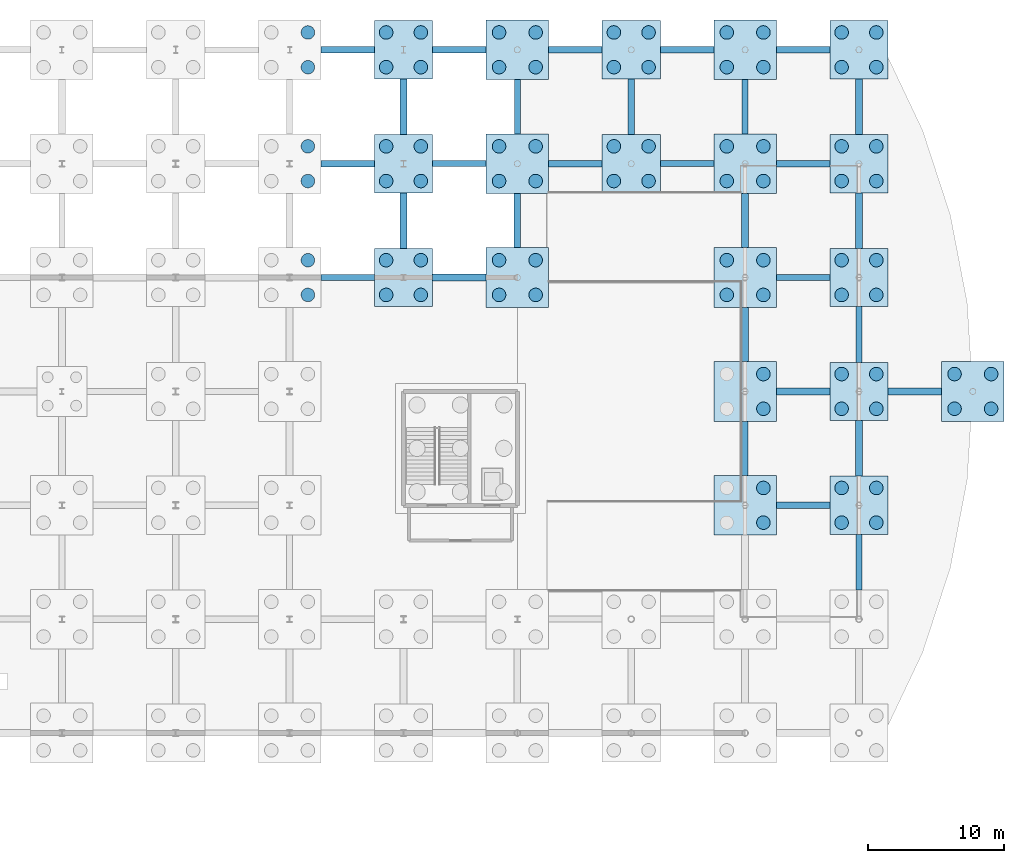
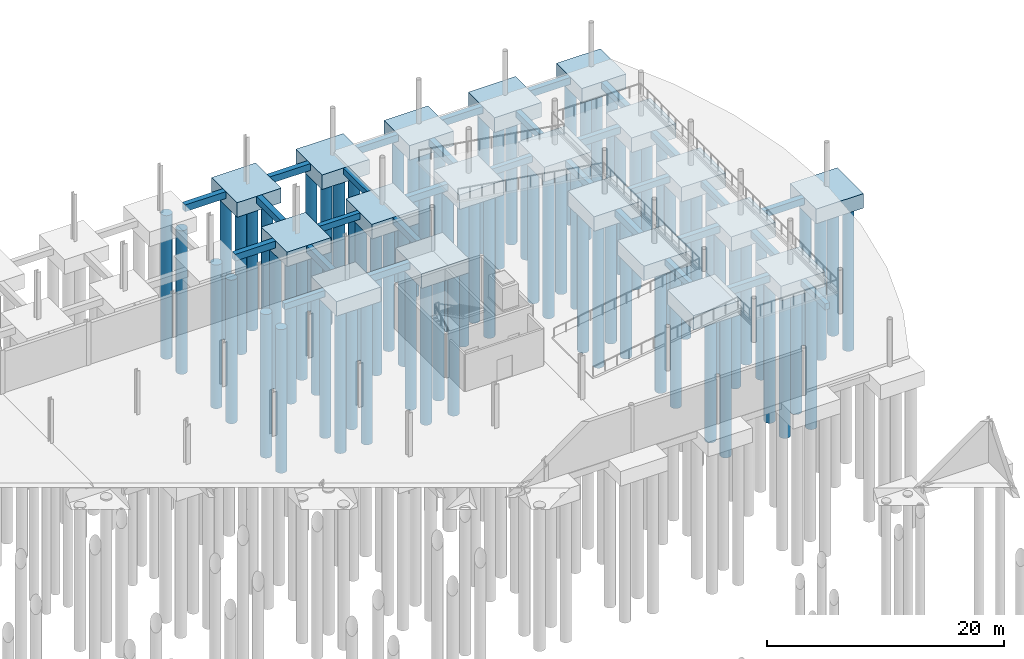
# One storey, part 11 of 51: 78 piles, 49 footings.
"""IFC4 building model written with IfcOpenShell, lengths in metres."""

from ifc_helpers import new_model, si_unit, direction, frame, origin, origin_2d, place, context, subcontext, project, spatial, rectangle, circle, extrude, material, material_profile, profile_set, type_object, element, save


model = new_model("IFC4")

# Units and contexts
model_context = context("Model", 3, precision=1e-05, world=origin(), true_north=direction((0.0, 1.0)))
body_context = subcontext(model_context, "Body", "Model", "MODEL_VIEW")
ifc_project = project(units=[si_unit("LENGTHUNIT", "METRE"), si_unit("AREAUNIT", "SQUARE_METRE"), si_unit("VOLUMEUNIT", "CUBIC_METRE"), si_unit("PLANEANGLEUNIT", "RADIAN"), si_unit("MASSUNIT", "GRAM", prefix="KILO")], contexts=[model_context])

# Site, building, storey
site_placement = place(None, origin())
site = spatial("IfcSite", under=ifc_project, at=site_placement, CompositionType="ELEMENT")
building_placement = place(site_placement, origin())
building = spatial("IfcBuilding", under=site, at=building_placement, Name="Qalvenar Corner Mobility Hub", CompositionType="ELEMENT")
storey_placement = place(building_placement, frame((0.0, 0.0, -4.5)))
storey = spatial("IfcBuildingStorey", under=building, at=storey_placement, Name="B1", CompositionType="ELEMENT", Elevation=-4.5)

# Footings
ifc_material = material(Name="Concrete C40/50", Category="concrete")
footing_type_1 = type_object("IfcFootingType", Name="PC-38X38X15", PredefinedType="PILE_CAP", material=ifc_material)
for number, where, z_axis, x_axis, name in (
    (1, (134.39990234375, 100.800048828125, -1.85009765625), (0.0, 0.0, 1.0), (1.0, 0.0, 0.0), "Pile Cap G17-12"),
    (2, (134.39990234375, 109.199951171875, -1.85009765625), (0.0, 0.0, 1.0), (1.0, 0.0, 0.0), "Pile Cap G17-13"),
    (3, (134.39990234375, 117.60009765625, -1.85009765625), (0.0, 0.0, 1.0), (1.0, 0.0, 0.0), "Pile Cap G17-14"),
    (4, (151.199951171875, 109.199951171875, -1.85009765625), (0.0, 0.0, 1.0), (1.0, 0.0, 0.0), "Pile Cap G19-13"),
    (5, (151.199951171875, 117.60009765625, -1.85009765625), (0.0, 0.0, 1.0), (1.0, 0.0, 0.0), "Pile Cap G19-14"),
    (6, (168.0, 84.0, -1.85009765625), (0.0, 0.0, 1.0), (1.0, 0.0, 0.0), "Pile Cap G21-10"),
    (7, (168.0, 92.39990234375, -1.85009765625), (0.0, 0.0, 1.0), (1.0, 0.0, 0.0), "Pile Cap G21-11"),
    (8, (168.0, 100.800048828125, -1.85009765625), (0.0, 0.0, 1.0), (1.0, 0.0, 0.0), "Pile Cap G21-12"),
    (9, (168.0, 109.199951171875, -1.85009765625), (0.0, 0.0, 1.0), (1.0, 0.0, 0.0), "Pile Cap G21-13"),
    (10, (168.0, 117.60009765625, -1.85009765625), (0.0, 0.0, 1.0), (1.0, 0.0, 0.0), "Pile Cap G21-14"),
):
    element("IfcFooting", number, at=place(storey_placement, frame(where, z_axis=z_axis, x_axis=x_axis)), inside=storey, type_object=footing_type_1, Name=name, PredefinedType="PILE_CAP", context=body_context, shape_type="SweptSolid", body=[
        extrude(rectangle(XDim=4.300048828125, YDim=4.300048828125, at=origin_2d()), origin(), (0.0, 0.0, 1.0), 1.5),
    ])
footing_type_2 = type_object("IfcFootingType", Name="PC-42X32X15", PredefinedType="PILE_CAP", material=ifc_material)
for number, where, z_axis, x_axis, name in (
    (11, (142.800048828125, 100.800048828125, -1.85009765625), (0.0, 0.0, 1.0), (1.0, 0.0, 0.0), "Pile Cap G18-12"),
    (12, (142.800048828125, 109.199951171875, -1.85009765625), (0.0, 0.0, 1.0), (1.0, 0.0, 0.0), "Pile Cap G18-13"),
    (13, (142.800048828125, 117.60009765625, -1.85009765625), (0.0, 0.0, 1.0), (1.0, 0.0, 0.0), "Pile Cap G18-14"),
    (14, (159.60009765625, 84.0, -1.85009765625), (0.0, 0.0, 1.0), (1.0, 0.0, 0.0), "Pile Cap G20-10"),
    (15, (159.60009765625, 92.39990234375, -1.85009765625), (0.0, 0.0, 1.0), (1.0, 0.0, 0.0), "Pile Cap G20-11"),
    (16, (159.60009765625, 100.800048828125, -1.85009765625), (0.0, 0.0, 1.0), (1.0, 0.0, 0.0), "Pile Cap G20-12"),
    (17, (159.60009765625, 109.199951171875, -1.85009765625), (0.0, 0.0, 1.0), (1.0, 0.0, 0.0), "Pile Cap G20-13"),
    (18, (159.60009765625, 117.60009765625, -1.85009765625), (0.0, 0.0, 1.0), (1.0, 0.0, 0.0), "Pile Cap G20-14"),
    (19, (176.39990234375, 92.39990234375, -1.85009765625), (0.0, 0.0, 1.0), (1.0, 0.0, 0.0), "Pile Cap G22-11"),
):
    element("IfcFooting", number, at=place(storey_placement, frame(where, z_axis=z_axis, x_axis=x_axis)), inside=storey, type_object=footing_type_2, Name=name, PredefinedType="PILE_CAP", context=body_context, shape_type="SweptSolid", body=[
        extrude(rectangle(XDim=4.60009765625, YDim=4.39990234375, at=origin_2d()), origin(), (0.0, 0.0, 1.0), 1.5),
    ])

# Piles
ifc_material_profile_1 = material_profile(ifc_material, circle(Radius=0.5, at=origin_2d()), Name="DIA1000")
ifc_profile_set_1 = profile_set([ifc_material_profile_1], Name="Concrete C40/50")
pile_type = type_object("IfcPileType", Name="PILE-1000", PredefinedType="BORED", material=ifc_profile_set_1)
for number, where, z_axis, x_axis, name in (
    (20, (127.35009765625, 99.52001953125, -1.699951171875), (0.0, 0.0, -1.0), (1.0, 0.0, 0.0), "Bored Pile G16-12-3"),
    (21, (127.35009765625, 102.080078125, -1.699951171875), (0.0, 0.0, -1.0), (1.0, 0.0, 0.0), "Bored Pile G16-12-4"),
    (22, (127.35009765625, 107.919921875, -1.699951171875), (0.0, 0.0, -1.0), (1.0, 0.0, 0.0), "Bored Pile G16-13-3"),
    (23, (127.35009765625, 110.47998046875, -1.699951171875), (0.0, 0.0, -1.0), (1.0, 0.0, 0.0), "Bored Pile G16-13-4"),
    (24, (127.35009765625, 116.320068359375, -1.699951171875), (0.0, 0.0, -1.0), (1.0, 0.0, 0.0), "Bored Pile G16-14-3"),
    (25, (127.35009765625, 118.8798828125, -1.699951171875), (0.0, 0.0, -1.0), (1.0, 0.0, 0.0), "Bored Pile G16-14-4"),
    (26, (133.1201171875, 99.52001953125, -1.699951171875), (0.0, 0.0, -1.0), (1.0, 0.0, 0.0), "Bored Pile G17-12-1"),
    (27, (133.1201171875, 102.080078125, -1.699951171875), (0.0, 0.0, -1.0), (1.0, 0.0, 0.0), "Bored Pile G17-12-2"),
    (28, (135.679931640625, 99.52001953125, -1.699951171875), (0.0, 0.0, -1.0), (1.0, 0.0, 0.0), "Bored Pile G17-12-3"),
    (29, (135.679931640625, 102.080078125, -1.699951171875), (0.0, 0.0, -1.0), (1.0, 0.0, 0.0), "Bored Pile G17-12-4"),
    (30, (133.1201171875, 107.919921875, -1.699951171875), (0.0, 0.0, -1.0), (1.0, 0.0, 0.0), "Bored Pile G17-13-1"),
    (31, (133.1201171875, 110.47998046875, -1.699951171875), (0.0, 0.0, -1.0), (1.0, 0.0, 0.0), "Bored Pile G17-13-2"),
    (32, (135.679931640625, 107.919921875, -1.699951171875), (0.0, 0.0, -1.0), (1.0, 0.0, 0.0), "Bored Pile G17-13-3"),
    (33, (135.679931640625, 110.47998046875, -1.699951171875), (0.0, 0.0, -1.0), (1.0, 0.0, 0.0), "Bored Pile G17-13-4"),
    (34, (133.1201171875, 116.320068359375, -1.699951171875), (0.0, 0.0, -1.0), (1.0, 0.0, 0.0), "Bored Pile G17-14-1"),
    (35, (133.1201171875, 118.8798828125, -1.699951171875), (0.0, 0.0, -1.0), (1.0, 0.0, 0.0), "Bored Pile G17-14-2"),
    (36, (135.679931640625, 116.320068359375, -1.699951171875), (0.0, 0.0, -1.0), (1.0, 0.0, 0.0), "Bored Pile G17-14-3"),
    (37, (135.679931640625, 118.8798828125, -1.699951171875), (0.0, 0.0, -1.0), (1.0, 0.0, 0.0), "Bored Pile G17-14-4"),
    (38, (141.449951171875, 99.52001953125, -1.699951171875), (0.0, 0.0, -1.0), (1.0, 0.0, 0.0), "Bored Pile G18-12-1"),
    (39, (141.449951171875, 102.080078125, -1.699951171875), (0.0, 0.0, -1.0), (1.0, 0.0, 0.0), "Bored Pile G18-12-2"),
    (40, (144.14990234375, 99.52001953125, -1.699951171875), (0.0, 0.0, -1.0), (1.0, 0.0, 0.0), "Bored Pile G18-12-3"),
    (41, (144.14990234375, 102.080078125, -1.699951171875), (0.0, 0.0, -1.0), (1.0, 0.0, 0.0), "Bored Pile G18-12-4"),
    (42, (141.449951171875, 107.919921875, -1.699951171875), (0.0, 0.0, -1.0), (1.0, 0.0, 0.0), "Bored Pile G18-13-1"),
    (43, (141.449951171875, 110.47998046875, -1.699951171875), (0.0, 0.0, -1.0), (1.0, 0.0, 0.0), "Bored Pile G18-13-2"),
    (44, (144.14990234375, 107.919921875, -1.699951171875), (0.0, 0.0, -1.0), (1.0, 0.0, 0.0), "Bored Pile G18-13-3"),
    (45, (144.14990234375, 110.47998046875, -1.699951171875), (0.0, 0.0, -1.0), (1.0, 0.0, 0.0), "Bored Pile G18-13-4"),
    (46, (141.449951171875, 116.320068359375, -1.699951171875), (0.0, 0.0, -1.0), (1.0, 0.0, 0.0), "Bored Pile G18-14-1"),
    (47, (141.449951171875, 118.8798828125, -1.699951171875), (0.0, 0.0, -1.0), (1.0, 0.0, 0.0), "Bored Pile G18-14-2"),
    (48, (144.14990234375, 116.320068359375, -1.699951171875), (0.0, 0.0, -1.0), (1.0, 0.0, 0.0), "Bored Pile G18-14-3"),
    (49, (144.14990234375, 118.8798828125, -1.699951171875), (0.0, 0.0, -1.0), (1.0, 0.0, 0.0), "Bored Pile G18-14-4"),
    (50, (149.919921875, 107.919921875, -1.699951171875), (0.0, 0.0, -1.0), (1.0, 0.0, 0.0), "Bored Pile G19-13-1"),
    (51, (149.919921875, 110.47998046875, -1.699951171875), (0.0, 0.0, -1.0), (1.0, 0.0, 0.0), "Bored Pile G19-13-2"),
    (52, (152.47998046875, 107.919921875, -1.699951171875), (0.0, 0.0, -1.0), (1.0, 0.0, 0.0), "Bored Pile G19-13-3"),
    (53, (152.47998046875, 110.47998046875, -1.699951171875), (0.0, 0.0, -1.0), (1.0, 0.0, 0.0), "Bored Pile G19-13-4"),
    (54, (149.919921875, 116.320068359375, -1.699951171875), (0.0, 0.0, -1.0), (1.0, 0.0, 0.0), "Bored Pile G19-14-1"),
    (55, (149.919921875, 118.8798828125, -1.699951171875), (0.0, 0.0, -1.0), (1.0, 0.0, 0.0), "Bored Pile G19-14-2"),
    (56, (152.47998046875, 116.320068359375, -1.699951171875), (0.0, 0.0, -1.0), (1.0, 0.0, 0.0), "Bored Pile G19-14-3"),
    (57, (152.47998046875, 118.8798828125, -1.699951171875), (0.0, 0.0, -1.0), (1.0, 0.0, 0.0), "Bored Pile G19-14-4"),
    (58, (160.949951171875, 82.719970703125, -1.699951171875), (0.0, 0.0, -1.0), (1.0, 0.0, 0.0), "Bored Pile G20-10-3"),
    (59, (160.949951171875, 85.280029296875, -1.699951171875), (0.0, 0.0, -1.0), (1.0, 0.0, 0.0), "Bored Pile G20-10-4"),
    (60, (160.949951171875, 91.1201171875, -1.699951171875), (0.0, 0.0, -1.0), (1.0, 0.0, 0.0), "Bored Pile G20-11-3"),
    (61, (160.949951171875, 93.679931640625, -1.699951171875), (0.0, 0.0, -1.0), (1.0, 0.0, 0.0), "Bored Pile G20-11-4"),
    (62, (158.25, 99.52001953125, -1.699951171875), (0.0, 0.0, -1.0), (1.0, 0.0, 0.0), "Bored Pile G20-12-1"),
    (63, (158.25, 102.080078125, -1.699951171875), (0.0, 0.0, -1.0), (1.0, 0.0, 0.0), "Bored Pile G20-12-2"),
    (64, (160.949951171875, 99.52001953125, -1.699951171875), (0.0, 0.0, -1.0), (1.0, 0.0, 0.0), "Bored Pile G20-12-3"),
    (65, (160.949951171875, 102.080078125, -1.699951171875), (0.0, 0.0, -1.0), (1.0, 0.0, 0.0), "Bored Pile G20-12-4"),
    (66, (158.25, 107.919921875, -1.699951171875), (0.0, 0.0, -1.0), (1.0, 0.0, 0.0), "Bored Pile G20-13-1"),
    (67, (158.25, 110.47998046875, -1.699951171875), (0.0, 0.0, -1.0), (1.0, 0.0, 0.0), "Bored Pile G20-13-2"),
    (68, (160.949951171875, 107.919921875, -1.699951171875), (0.0, 0.0, -1.0), (1.0, 0.0, 0.0), "Bored Pile G20-13-3"),
    (69, (160.949951171875, 110.47998046875, -1.699951171875), (0.0, 0.0, -1.0), (1.0, 0.0, 0.0), "Bored Pile G20-13-4"),
    (70, (158.25, 116.320068359375, -1.699951171875), (0.0, 0.0, -1.0), (1.0, 0.0, 0.0), "Bored Pile G20-14-1"),
    (71, (158.25, 118.8798828125, -1.699951171875), (0.0, 0.0, -1.0), (1.0, 0.0, 0.0), "Bored Pile G20-14-2"),
    (72, (160.949951171875, 116.320068359375, -1.699951171875), (0.0, 0.0, -1.0), (1.0, 0.0, 0.0), "Bored Pile G20-14-3"),
    (73, (160.949951171875, 118.8798828125, -1.699951171875), (0.0, 0.0, -1.0), (1.0, 0.0, 0.0), "Bored Pile G20-14-4"),
    (74, (166.719970703125, 82.719970703125, -1.699951171875), (0.0, 0.0, -1.0), (1.0, 0.0, 0.0), "Bored Pile G21-10-1"),
    (75, (166.719970703125, 85.280029296875, -1.699951171875), (0.0, 0.0, -1.0), (1.0, 0.0, 0.0), "Bored Pile G21-10-2"),
    (76, (169.280029296875, 82.719970703125, -1.699951171875), (0.0, 0.0, -1.0), (1.0, 0.0, 0.0), "Bored Pile G21-10-3"),
    (77, (169.280029296875, 85.280029296875, -1.699951171875), (0.0, 0.0, -1.0), (1.0, 0.0, 0.0), "Bored Pile G21-10-4"),
    (78, (166.719970703125, 91.1201171875, -1.699951171875), (0.0, 0.0, -1.0), (1.0, 0.0, 0.0), "Bored Pile G21-11-1"),
    (79, (166.719970703125, 93.679931640625, -1.699951171875), (0.0, 0.0, -1.0), (1.0, 0.0, 0.0), "Bored Pile G21-11-2"),
    (80, (169.280029296875, 91.1201171875, -1.699951171875), (0.0, 0.0, -1.0), (1.0, 0.0, 0.0), "Bored Pile G21-11-3"),
    (81, (169.280029296875, 93.679931640625, -1.699951171875), (0.0, 0.0, -1.0), (1.0, 0.0, 0.0), "Bored Pile G21-11-4"),
    (82, (166.719970703125, 99.52001953125, -1.699951171875), (0.0, 0.0, -1.0), (1.0, 0.0, 0.0), "Bored Pile G21-12-1"),
    (83, (166.719970703125, 102.080078125, -1.699951171875), (0.0, 0.0, -1.0), (1.0, 0.0, 0.0), "Bored Pile G21-12-2"),
    (84, (169.280029296875, 99.52001953125, -1.699951171875), (0.0, 0.0, -1.0), (1.0, 0.0, 0.0), "Bored Pile G21-12-3"),
    (85, (169.280029296875, 102.080078125, -1.699951171875), (0.0, 0.0, -1.0), (1.0, 0.0, 0.0), "Bored Pile G21-12-4"),
    (86, (166.719970703125, 107.919921875, -1.699951171875), (0.0, 0.0, -1.0), (1.0, 0.0, 0.0), "Bored Pile G21-13-1"),
    (87, (166.719970703125, 110.47998046875, -1.699951171875), (0.0, 0.0, -1.0), (1.0, 0.0, 0.0), "Bored Pile G21-13-2"),
    (88, (169.280029296875, 107.919921875, -1.699951171875), (0.0, 0.0, -1.0), (1.0, 0.0, 0.0), "Bored Pile G21-13-3"),
    (89, (169.280029296875, 110.47998046875, -1.699951171875), (0.0, 0.0, -1.0), (1.0, 0.0, 0.0), "Bored Pile G21-13-4"),
    (90, (166.719970703125, 116.320068359375, -1.699951171875), (0.0, 0.0, -1.0), (1.0, 0.0, 0.0), "Bored Pile G21-14-1"),
    (91, (166.719970703125, 118.8798828125, -1.699951171875), (0.0, 0.0, -1.0), (1.0, 0.0, 0.0), "Bored Pile G21-14-2"),
    (92, (169.280029296875, 116.320068359375, -1.699951171875), (0.0, 0.0, -1.0), (1.0, 0.0, 0.0), "Bored Pile G21-14-3"),
    (93, (169.280029296875, 118.8798828125, -1.699951171875), (0.0, 0.0, -1.0), (1.0, 0.0, 0.0), "Bored Pile G21-14-4"),
    (94, (175.050048828125, 91.1201171875, -1.699951171875), (0.0, 0.0, -1.0), (1.0, 0.0, 0.0), "Bored Pile G22-11-1"),
    (95, (175.050048828125, 93.679931640625, -1.699951171875), (0.0, 0.0, -1.0), (1.0, 0.0, 0.0), "Bored Pile G22-11-2"),
    (96, (177.75, 91.1201171875, -1.699951171875), (0.0, 0.0, -1.0), (1.0, 0.0, 0.0), "Bored Pile G22-11-3"),
    (97, (177.75, 93.679931640625, -1.699951171875), (0.0, 0.0, -1.0), (1.0, 0.0, 0.0), "Bored Pile G22-11-4"),
):
    element("IfcPile", number, at=place(storey_placement, frame(where, z_axis=z_axis, x_axis=x_axis)), inside=storey, type_object=pile_type, Name=name, PredefinedType="BORED", context=body_context, shape_type="SweptSolid", body=[
        extrude(circle(Radius=0.5, at=origin_2d()), origin(), (0.0, 0.0, 1.0), 14.800048828125),
    ])

# Footings
ifc_material_profile_2 = material_profile(ifc_material, rectangle(XDim=0.449951171875, YDim=0.64990234375, at=origin_2d()), Name="RC450x650")
ifc_profile_set_2 = profile_set([ifc_material_profile_2], Name="Concrete C40/50")
footing_type_3 = type_object("IfcFootingType", Name="TB-450X650", PredefinedType="FOOTING_BEAM", material=ifc_profile_set_2)
for number, where, z_axis, x_axis, name in (
    (98, (128.300048828125, 100.800048828125, -0.675048828125), (1.0, 0.0, 0.0), (0.0, 1.0, 0.0), "Foundation Tie Beam TB-288"),
    (99, (136.550048828125, 109.199951171875, -0.675048828125), (1.0, 0.0, 0.0), (0.0, 1.0, 0.0), "Foundation Tie Beam TB-306"),
):
    element("IfcFooting", number, at=place(storey_placement, frame(where, z_axis=z_axis, x_axis=x_axis)), inside=storey, type_object=footing_type_3, Name=name, PredefinedType="FOOTING_BEAM", context=body_context, shape_type="SweptSolid", body=[
        extrude(rectangle(XDim=0.449951171875, YDim=0.64990234375, at=origin_2d()), origin(), (0.0, 0.0, 1.0), 3.949951171875),
    ])
footing_1_placement = place(storey_placement, frame((142.800048828125, 111.39990234375, -0.675048828125), z_axis=(0.0, 1.0, 0.0), x_axis=(-1.0, 0.0, 0.0)))
element("IfcFooting", 100, at=footing_1_placement, inside=storey, type_object=footing_type_3, Name="Foundation Tie Beam TB-327", PredefinedType="FOOTING_BEAM", context=body_context, shape_type="SweptSolid", body=[
    extrude(rectangle(XDim=0.449951171875, YDim=0.64990234375, at=origin_2d()), origin(), (0.0, 0.0, 1.0), 4.0),
])
footing_2_placement = place(storey_placement, frame((153.35009765625, 109.199951171875, -0.675048828125), z_axis=(1.0, 0.0, 0.0), x_axis=(0.0, 1.0, 0.0)))
element("IfcFooting", 101, at=footing_2_placement, inside=storey, type_object=footing_type_3, Name="Foundation Tie Beam TB-345", PredefinedType="FOOTING_BEAM", context=body_context, shape_type="SweptSolid", body=[
    extrude(rectangle(XDim=0.449951171875, YDim=0.64990234375, at=origin_2d()), origin(), (0.0, 0.0, 1.0), 3.949951171875),
])
footing_3_placement = place(storey_placement, frame((159.60009765625, 86.199951171875, -0.675048828125), z_axis=(0.0, 1.0, 0.0), x_axis=(-1.0, 0.0, 0.0)))
element("IfcFooting", 102, at=footing_3_placement, inside=storey, type_object=footing_type_3, Name="Foundation Tie Beam TB-366", PredefinedType="FOOTING_BEAM", context=body_context, shape_type="SweptSolid", body=[
    extrude(rectangle(XDim=0.449951171875, YDim=0.64990234375, at=origin_2d()), origin(), (0.0, 0.0, 1.0), 4.0),
])
footing_4_placement = place(storey_placement, frame((161.89990234375, 100.800048828125, -0.675048828125), z_axis=(1.0, 0.0, 0.0), x_axis=(0.0, 1.0, 0.0)))
element("IfcFooting", 103, at=footing_4_placement, inside=storey, type_object=footing_type_3, Name="Foundation Tie Beam TB-369", PredefinedType="FOOTING_BEAM", context=body_context, shape_type="SweptSolid", body=[
    extrude(rectangle(XDim=0.449951171875, YDim=0.64990234375, at=origin_2d()), origin(), (0.0, 0.0, 1.0), 3.9501953125),
])
footing_5_placement = place(storey_placement, frame((159.60009765625, 111.39990234375, -0.675048828125), z_axis=(0.0, 1.0, 0.0), x_axis=(-1.0, 0.0, 0.0)))
element("IfcFooting", 104, at=footing_5_placement, inside=storey, type_object=footing_type_3, Name="Foundation Tie Beam TB-372", PredefinedType="FOOTING_BEAM", context=body_context, shape_type="SweptSolid", body=[
    extrude(rectangle(XDim=0.449951171875, YDim=0.64990234375, at=origin_2d()), origin(), (0.0, 0.0, 1.0), 4.0),
])
footing_6_placement = place(storey_placement, frame((168.0, 77.75, -0.675048828125), z_axis=(0.0, 1.0, 0.0), x_axis=(-1.0, 0.0, 0.0)))
element("IfcFooting", 105, at=footing_6_placement, inside=storey, type_object=footing_type_3, Name="Foundation Tie Beam TB-381", PredefinedType="FOOTING_BEAM", context=body_context, shape_type="SweptSolid", body=[
    extrude(rectangle(XDim=0.449951171875, YDim=0.64990234375, at=origin_2d()), origin(), (0.0, 0.0, 1.0), 4.10009765625),
])
footing_7_placement = place(storey_placement, frame((168.0, 94.550048828125, -0.675048828125), z_axis=(0.0, 1.0, 0.0), x_axis=(-1.0, 0.0, 0.0)))
element("IfcFooting", 106, at=footing_7_placement, inside=storey, type_object=footing_type_3, Name="Foundation Tie Beam TB-384", PredefinedType="FOOTING_BEAM", context=body_context, shape_type="SweptSolid", body=[
    extrude(rectangle(XDim=0.449951171875, YDim=0.64990234375, at=origin_2d()), origin(), (0.0, 0.0, 1.0), 4.099853515625),
])
ifc_material_profile_3 = material_profile(ifc_material, rectangle(XDim=0.5, YDim=0.699951171875, at=origin_2d()), Name="RC500x700")
ifc_profile_set_3 = profile_set([ifc_material_profile_3], Name="Concrete C40/50")
footing_type_4 = type_object("IfcFootingType", Name="TB-500X700", PredefinedType="FOOTING_BEAM", material=ifc_profile_set_3)
for number, where, z_axis, x_axis, name in (
    (107, (128.300048828125, 109.199951171875, -0.699951171875), (1.0, 0.0, 0.0), (0.0, 1.0, 0.0), "Foundation Tie Beam TB-290"),
    (108, (128.300048828125, 117.60009765625, -0.699951171875), (1.0, 0.0, 0.0), (0.0, 1.0, 0.0), "Foundation Tie Beam TB-292"),
    (109, (136.550048828125, 100.800048828125, -0.699951171875), (1.0, 0.0, 0.0), (0.0, 1.0, 0.0), "Foundation Tie Beam TB-304"),
):
    element("IfcFooting", number, at=place(storey_placement, frame(where, z_axis=z_axis, x_axis=x_axis)), inside=storey, type_object=footing_type_4, Name=name, PredefinedType="FOOTING_BEAM", context=body_context, shape_type="SweptSolid", body=[
        extrude(rectangle(XDim=0.5, YDim=0.699951171875, at=origin_2d()), origin(), (0.0, 0.0, 1.0), 3.949951171875),
    ])
footing_8_placement = place(storey_placement, frame((134.39990234375, 102.949951171875, -0.699951171875), z_axis=(0.0, 1.0, 0.0), x_axis=(-1.0, 0.0, 0.0)))
element("IfcFooting", 110, at=footing_8_placement, inside=storey, type_object=footing_type_4, Name="Foundation Tie Beam TB-305", PredefinedType="FOOTING_BEAM", context=body_context, shape_type="SweptSolid", body=[
    extrude(rectangle(XDim=0.5, YDim=0.699951171875, at=origin_2d()), origin(), (0.0, 0.0, 1.0), 4.10009765625),
])
footing_9_placement = place(storey_placement, frame((134.39990234375, 111.35009765625, -0.699951171875), z_axis=(0.0, 1.0, 0.0), x_axis=(-1.0, 0.0, 0.0)))
element("IfcFooting", 111, at=footing_9_placement, inside=storey, type_object=footing_type_4, Name="Foundation Tie Beam TB-307", PredefinedType="FOOTING_BEAM", context=body_context, shape_type="SweptSolid", body=[
    extrude(rectangle(XDim=0.5, YDim=0.699951171875, at=origin_2d()), origin(), (0.0, 0.0, 1.0), 4.099853515625),
])
footing_10_placement = place(storey_placement, frame((136.550048828125, 117.60009765625, -0.699951171875), z_axis=(1.0, 0.0, 0.0), x_axis=(0.0, 1.0, 0.0)))
element("IfcFooting", 112, at=footing_10_placement, inside=storey, type_object=footing_type_4, Name="Foundation Tie Beam TB-308", PredefinedType="FOOTING_BEAM", context=body_context, shape_type="SweptSolid", body=[
    extrude(rectangle(XDim=0.5, YDim=0.699951171875, at=origin_2d()), origin(), (0.0, 0.0, 1.0), 3.949951171875),
])
footing_11_placement = place(storey_placement, frame((142.800048828125, 103.0, -0.699951171875), z_axis=(0.0, 1.0, 0.0), x_axis=(-1.0, 0.0, 0.0)))
element("IfcFooting", 113, at=footing_11_placement, inside=storey, type_object=footing_type_4, Name="Foundation Tie Beam TB-325", PredefinedType="FOOTING_BEAM", context=body_context, shape_type="SweptSolid", body=[
    extrude(rectangle(XDim=0.5, YDim=0.699951171875, at=origin_2d()), origin(), (0.0, 0.0, 1.0), 4.0),
])
for number, where, z_axis, x_axis, name in (
    (114, (145.10009765625, 109.199951171875, -0.699951171875), (1.0, 0.0, 0.0), (0.0, 1.0, 0.0), "Foundation Tie Beam TB-326"),
    (115, (145.10009765625, 117.60009765625, -0.699951171875), (1.0, 0.0, 0.0), (0.0, 1.0, 0.0), "Foundation Tie Beam TB-328"),
):
    element("IfcFooting", number, at=place(storey_placement, frame(where, z_axis=z_axis, x_axis=x_axis)), inside=storey, type_object=footing_type_4, Name=name, PredefinedType="FOOTING_BEAM", context=body_context, shape_type="SweptSolid", body=[
        extrude(rectangle(XDim=0.5, YDim=0.699951171875, at=origin_2d()), origin(), (0.0, 0.0, 1.0), 3.949951171875),
    ])
footing_12_placement = place(storey_placement, frame((151.199951171875, 111.35009765625, -0.699951171875), z_axis=(0.0, 1.0, 0.0), x_axis=(-1.0, 0.0, 0.0)))
element("IfcFooting", 116, at=footing_12_placement, inside=storey, type_object=footing_type_4, Name="Foundation Tie Beam TB-346", PredefinedType="FOOTING_BEAM", context=body_context, shape_type="SweptSolid", body=[
    extrude(rectangle(XDim=0.5, YDim=0.699951171875, at=origin_2d()), origin(), (0.0, 0.0, 1.0), 4.099853515625),
])
footing_13_placement = place(storey_placement, frame((153.35009765625, 117.60009765625, -0.699951171875), z_axis=(1.0, 0.0, 0.0), x_axis=(0.0, 1.0, 0.0)))
element("IfcFooting", 117, at=footing_13_placement, inside=storey, type_object=footing_type_4, Name="Foundation Tie Beam TB-347", PredefinedType="FOOTING_BEAM", context=body_context, shape_type="SweptSolid", body=[
    extrude(rectangle(XDim=0.5, YDim=0.699951171875, at=origin_2d()), origin(), (0.0, 0.0, 1.0), 3.949951171875),
])
for number, where, z_axis, x_axis, name in (
    (118, (161.89990234375, 84.0, -0.699951171875), (1.0, 0.0, 0.0), (0.0, 1.0, 0.0), "Foundation Tie Beam TB-365"),
    (119, (161.89990234375, 92.39990234375, -0.699951171875), (1.0, 0.0, 0.0), (0.0, 1.0, 0.0), "Foundation Tie Beam TB-367"),
):
    element("IfcFooting", number, at=place(storey_placement, frame(where, z_axis=z_axis, x_axis=x_axis)), inside=storey, type_object=footing_type_4, Name=name, PredefinedType="FOOTING_BEAM", context=body_context, shape_type="SweptSolid", body=[
        extrude(rectangle(XDim=0.5, YDim=0.699951171875, at=origin_2d()), origin(), (0.0, 0.0, 1.0), 3.9501953125),
    ])
for number, where, z_axis, x_axis, name in (
    (120, (159.60009765625, 94.60009765625, -0.699951171875), (0.0, 1.0, 0.0), (-1.0, 0.0, 0.0), "Foundation Tie Beam TB-368"),
    (121, (159.60009765625, 103.0, -0.699951171875), (0.0, 1.0, 0.0), (-1.0, 0.0, 0.0), "Foundation Tie Beam TB-370"),
):
    element("IfcFooting", number, at=place(storey_placement, frame(where, z_axis=z_axis, x_axis=x_axis)), inside=storey, type_object=footing_type_4, Name=name, PredefinedType="FOOTING_BEAM", context=body_context, shape_type="SweptSolid", body=[
        extrude(rectangle(XDim=0.5, YDim=0.699951171875, at=origin_2d()), origin(), (0.0, 0.0, 1.0), 4.0),
    ])
for number, where, z_axis, x_axis, name in (
    (122, (161.89990234375, 109.199951171875, -0.699951171875), (1.0, 0.0, 0.0), (0.0, 1.0, 0.0), "Foundation Tie Beam TB-371"),
    (123, (161.89990234375, 117.60009765625, -0.699951171875), (1.0, 0.0, 0.0), (0.0, 1.0, 0.0), "Foundation Tie Beam TB-373"),
):
    element("IfcFooting", number, at=place(storey_placement, frame(where, z_axis=z_axis, x_axis=x_axis)), inside=storey, type_object=footing_type_4, Name=name, PredefinedType="FOOTING_BEAM", context=body_context, shape_type="SweptSolid", body=[
        extrude(rectangle(XDim=0.5, YDim=0.699951171875, at=origin_2d()), origin(), (0.0, 0.0, 1.0), 3.9501953125),
    ])
footing_14_placement = place(storey_placement, frame((168.0, 86.14990234375, -0.699951171875), z_axis=(0.0, 1.0, 0.0), x_axis=(-1.0, 0.0, 0.0)))
element("IfcFooting", 124, at=footing_14_placement, inside=storey, type_object=footing_type_4, Name="Foundation Tie Beam TB-382", PredefinedType="FOOTING_BEAM", context=body_context, shape_type="SweptSolid", body=[
    extrude(rectangle(XDim=0.5, YDim=0.699951171875, at=origin_2d()), origin(), (0.0, 0.0, 1.0), 4.10009765625),
])
footing_15_placement = place(storey_placement, frame((170.14990234375, 92.39990234375, -0.699951171875), z_axis=(1.0, 0.0, 0.0), x_axis=(0.0, 1.0, 0.0)))
element("IfcFooting", 125, at=footing_15_placement, inside=storey, type_object=footing_type_4, Name="Foundation Tie Beam TB-383", PredefinedType="FOOTING_BEAM", context=body_context, shape_type="SweptSolid", body=[
    extrude(rectangle(XDim=0.5, YDim=0.699951171875, at=origin_2d()), origin(), (0.0, 0.0, 1.0), 3.9501953125),
])
footing_16_placement = place(storey_placement, frame((168.0, 102.949951171875, -0.699951171875), z_axis=(0.0, 1.0, 0.0), x_axis=(-1.0, 0.0, 0.0)))
element("IfcFooting", 126, at=footing_16_placement, inside=storey, type_object=footing_type_4, Name="Foundation Tie Beam TB-385", PredefinedType="FOOTING_BEAM", context=body_context, shape_type="SweptSolid", body=[
    extrude(rectangle(XDim=0.5, YDim=0.699951171875, at=origin_2d()), origin(), (0.0, 0.0, 1.0), 4.10009765625),
])
footing_17_placement = place(storey_placement, frame((168.0, 111.35009765625, -0.699951171875), z_axis=(0.0, 1.0, 0.0), x_axis=(-1.0, 0.0, 0.0)))
element("IfcFooting", 127, at=footing_17_placement, inside=storey, type_object=footing_type_4, Name="Foundation Tie Beam TB-386", PredefinedType="FOOTING_BEAM", context=body_context, shape_type="SweptSolid", body=[
    extrude(rectangle(XDim=0.5, YDim=0.699951171875, at=origin_2d()), origin(), (0.0, 0.0, 1.0), 4.099853515625),
])

save(model, "model.ifc")
